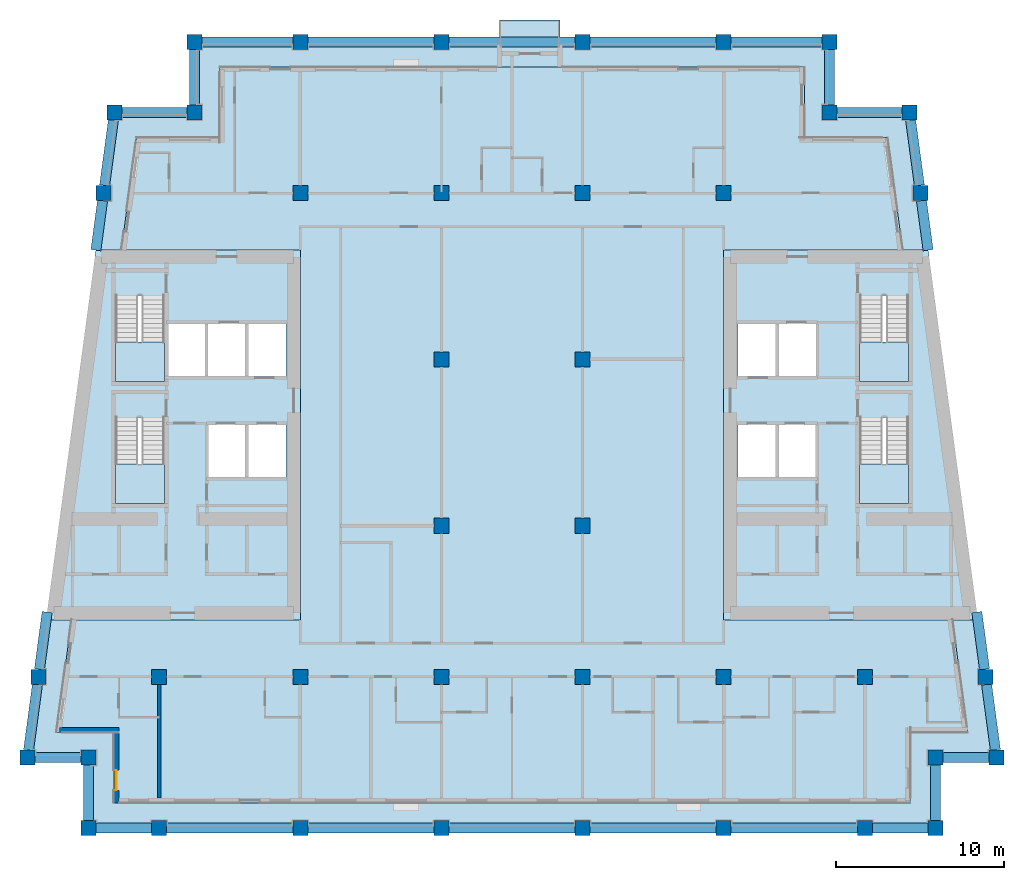
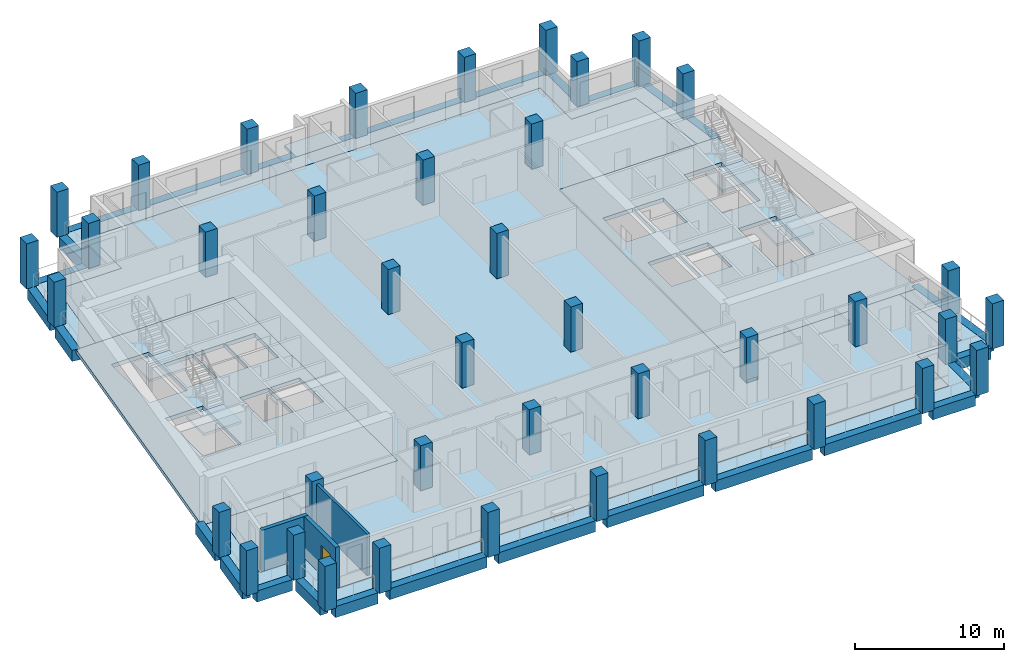
# One storey, part 1 of 12: 40 columns, 28 beams, 10 slabs, 3 walls, 1 door, 1 opening, 4 elements without a shape of their own.
"""IFC4 building model written with IfcOpenShell, lengths in metres."""

from ifc_helpers import new_model, si_unit, direction, frame, frame_2d, origin, origin_2d, place, context, subcontext, project, spatial, polyline, rectangle, outline, extrude, material, layer, layer_set, material_profile, profile_set, type_object, element, fill, aggregate, save


model = new_model("IFC4")

# Units and contexts
model_context = context("Model", 3, precision=1e-05, world=origin(), true_north=direction((0.0, 1.0)))
body_context = subcontext(model_context, "Body", "Model", "MODEL_VIEW")
ifc_project = project(units=[si_unit("LENGTHUNIT", "METRE"), si_unit("AREAUNIT", "SQUARE_METRE"), si_unit("VOLUMEUNIT", "CUBIC_METRE"), si_unit("PLANEANGLEUNIT", "RADIAN"), si_unit("MASSUNIT", "GRAM", prefix="KILO")], contexts=[model_context])

# Site, building, storey
site_placement = place(None, origin())
site = spatial("IfcSite", under=ifc_project, at=site_placement, CompositionType="ELEMENT")
building_placement = place(site_placement, origin())
building = spatial("IfcBuilding", under=site, at=building_placement, Name="Candeia Pilgrim Tower and Theatre", CompositionType="ELEMENT")
storey_placement = place(building_placement, frame((0.0, 0.0, 228.10009765625)))
storey = spatial("IfcBuildingStorey", under=building, at=storey_placement, Name="L55", CompositionType="ELEMENT", Elevation=228.10009765625)

# Columns
ifc_material_1 = material(Name="Concrete C50/60", Category="concrete")
ifc_material_profile_1 = material_profile(ifc_material_1, rectangle(XDim=0.89990234375, YDim=0.89990234375, at=origin_2d()))
ifc_profile_set_1 = profile_set([ifc_material_profile_1], Name="Concrete C50/60")
column_type = type_object("IfcColumnType", Name="RC 900x900 C50/60", PredefinedType="COLUMN", material=ifc_profile_set_1)
for number, where, z_axis, x_axis, name in (
    (1, (92.39990234375, 98.0, 0.0), (0.0, 0.0, 1.0), (1.0, 0.0, 0.0), "Column A1"),
    (2, (100.800048828125, 98.0, 0.0), (0.0, 0.0, 1.0), (1.0, 0.0, 0.0), "Column A2"),
    (3, (109.199951171875, 98.0, 0.0), (0.0, 0.0, 1.0), (1.0, 0.0, 0.0), "Column A3"),
    (4, (117.60009765625, 98.0, 0.0), (0.0, 0.0, 1.0), (1.0, 0.0, 0.0), "Column A4"),
    (5, (126.0, 98.0, 0.0), (0.0, 0.0, 1.0), (1.0, 0.0, 0.0), "Column A5"),
    (6, (134.39990234375, 98.0, 0.0), (0.0, 0.0, 1.0), (1.0, 0.0, 0.0), "Column A6"),
    (7, (88.199951171875, 98.0, 0.0), (0.0, 0.0, 1.0), (1.0, 0.0, 0.0), "Column AW"),
    (8, (138.60009765625, 98.0, 0.0), (0.0, 0.0, 1.0), (1.0, 0.0, 0.0), "Column AE"),
    (9, (88.199951171875, 102.199951171875, 0.0), (0.0, 0.0, 1.0), (1.0, 0.0, 0.0), "Column NSW"),
    (10, (138.60009765625, 102.199951171875, 0.0), (0.0, 0.0, 1.0), (1.0, 0.0, 0.0), "Column NSE"),
    (11, (94.5, 140.60009765625, 0.0), (0.0, 0.0, 1.0), (1.0, 0.0, 0.0), "Column NNW"),
    (12, (132.300048828125, 140.60009765625, 0.0), (0.0, 0.0, 1.0), (1.0, 0.0, 0.0), "Column NNE"),
    (13, (84.5654296875, 102.199951171875, 0.0), (0.0, 0.0, 1.0), (1.0, 0.0, 0.0), "Column LSW"),
    (14, (142.234619140625, 102.199951171875, 0.0), (0.0, 0.0, 1.0), (1.0, 0.0, 0.0), "Column LSE"),
    (15, (89.734619140625, 140.60009765625, 0.0), (0.0, 0.0, 1.0), (1.0, 0.0, 0.0), "Column LNW"),
    (16, (137.0654296875, 140.60009765625, 0.0), (0.0, 0.0, 1.0), (1.0, 0.0, 0.0), "Column LNE"),
    (17, (92.39990234375, 107.0, 0.0), (0.0, 0.0, 1.0), (1.0, 0.0, 0.0), "Column B1"),
    (18, (100.800048828125, 107.0, 0.0), (0.0, 0.0, 1.0), (1.0, 0.0, 0.0), "Column B2"),
    (19, (109.199951171875, 107.0, 0.0), (0.0, 0.0, 1.0), (1.0, 0.0, 0.0), "Column B3"),
    (20, (117.60009765625, 107.0, 0.0), (0.0, 0.0, 1.0), (1.0, 0.0, 0.0), "Column B4"),
    (21, (126.0, 107.0, 0.0), (0.0, 0.0, 1.0), (1.0, 0.0, 0.0), "Column B5"),
    (22, (134.39990234375, 107.0, 0.0), (0.0, 0.0, 1.0), (1.0, 0.0, 0.0), "Column B6"),
    (23, (85.21142578125, 107.0, 0.0), (0.0, 0.0, 1.0), (1.0, 0.0, 0.0), "Column BW"),
    (24, (141.58837890625, 107.0, 0.0), (0.0, 0.0, 1.0), (1.0, 0.0, 0.0), "Column BE"),
    (25, (109.199951171875, 116.0, 0.0), (0.0, 0.0, 1.0), (1.0, 0.0, 0.0), "Column C3"),
    (26, (117.60009765625, 116.0, 0.0), (0.0, 0.0, 1.0), (1.0, 0.0, 0.0), "Column C4"),
    (27, (109.199951171875, 125.89990234375, 0.0), (0.0, 0.0, 1.0), (1.0, 0.0, 0.0), "Column D3"),
    (28, (117.60009765625, 125.89990234375, 0.0), (0.0, 0.0, 1.0), (1.0, 0.0, 0.0), "Column D4"),
    (29, (100.800048828125, 135.800048828125, 0.0), (0.0, 0.0, 1.0), (1.0, 0.0, 0.0), "Column E2"),
    (30, (109.199951171875, 135.800048828125, 0.0), (0.0, 0.0, 1.0), (1.0, 0.0, 0.0), "Column E3"),
    (31, (117.60009765625, 135.800048828125, 0.0), (0.0, 0.0, 1.0), (1.0, 0.0, 0.0), "Column E4"),
    (32, (126.0, 135.800048828125, 0.0), (0.0, 0.0, 1.0), (1.0, 0.0, 0.0), "Column E5"),
    (33, (89.08837890625, 135.800048828125, 0.0), (0.0, 0.0, 1.0), (1.0, 0.0, 0.0), "Column EW"),
    (34, (137.71142578125, 135.800048828125, 0.0), (0.0, 0.0, 1.0), (1.0, 0.0, 0.0), "Column EE"),
    (35, (100.800048828125, 144.800048828125, 0.0), (0.0, 0.0, 1.0), (1.0, 0.0, 0.0), "Column F2"),
    (36, (109.199951171875, 144.800048828125, 0.0), (0.0, 0.0, 1.0), (1.0, 0.0, 0.0), "Column F3"),
    (37, (117.60009765625, 144.800048828125, 0.0), (0.0, 0.0, 1.0), (1.0, 0.0, 0.0), "Column F4"),
    (38, (126.0, 144.800048828125, 0.0), (0.0, 0.0, 1.0), (1.0, 0.0, 0.0), "Column F5"),
    (39, (94.5, 144.800048828125, 0.0), (0.0, 0.0, 1.0), (1.0, 0.0, 0.0), "Column FW"),
    (40, (132.300048828125, 144.800048828125, 0.0), (0.0, 0.0, 1.0), (1.0, 0.0, 0.0), "Column FE"),
):
    element("IfcColumn", number, at=place(storey_placement, frame(where, z_axis=z_axis, x_axis=x_axis)), inside=storey, type_object=column_type, Name=name, PredefinedType="COLUMN", context=body_context, shape_type="SweptSolid", body=[
        extrude(rectangle(XDim=0.89990234375, YDim=0.89990234375, at=origin_2d()), origin(), (0.0, 0.0, 1.0), 3.699951171875),
    ])

# Beams
ifc_material_profile_2 = material_profile(ifc_material_1, rectangle(XDim=0.60009765625, YDim=0.89990234375, at=origin_2d()))
ifc_profile_set_2 = profile_set([ifc_material_profile_2], Name="Concrete C50/60")
beam_type = type_object("IfcBeamType", Name="RC 600x900 C50/60", PredefinedType="BEAM", material=ifc_profile_set_2)
beam_1_placement = place(storey_placement, frame((88.64990234375, 98.0, -0.4501953125), z_axis=(1.0, 0.0, 0.0), x_axis=(0.0, 1.0, 0.0)))
element("IfcBeam", 41, at=beam_1_placement, inside=storey, type_object=beam_type, Name="Spandrel beam L55-01", PredefinedType="BEAM", context=body_context, shape_type="SweptSolid", body=[
    extrude(rectangle(XDim=0.60009765625, YDim=0.89990234375, at=origin_2d()), origin(), (0.0, 0.0, 1.0), 3.300048828125),
])
for number, where, z_axis, x_axis, name in (
    (42, (92.85009765625, 98.0, -0.4501953125), (1.0, 0.0, 0.0), (0.0, 1.0, 0.0), "Spandrel beam L55-02"),
    (43, (101.25, 98.0, -0.4501953125), (1.0, 0.0, 0.0), (0.0, 1.0, 0.0), "Spandrel beam L55-03"),
    (44, (109.64990234375, 98.0, -0.4501953125), (1.0, 0.0, 0.0), (0.0, 1.0, 0.0), "Spandrel beam L55-04"),
    (45, (118.050048828125, 98.0, -0.4501953125), (1.0, 0.0, 0.0), (0.0, 1.0, 0.0), "Spandrel beam L55-05"),
    (46, (126.449951171875, 98.0, -0.4501953125), (1.0, 0.0, 0.0), (0.0, 1.0, 0.0), "Spandrel beam L55-06"),
):
    element("IfcBeam", number, at=place(storey_placement, frame(where, z_axis=z_axis, x_axis=x_axis)), inside=storey, type_object=beam_type, Name=name, PredefinedType="BEAM", context=body_context, shape_type="SweptSolid", body=[
        extrude(rectangle(XDim=0.60009765625, YDim=0.89990234375, at=origin_2d()), origin(), (0.0, 0.0, 1.0), 7.5),
    ])
beam_2_placement = place(storey_placement, frame((134.85009765625, 98.0, -0.4501953125), z_axis=(1.0, 0.0, 0.0), x_axis=(0.0, 1.0, 0.0)))
element("IfcBeam", 47, at=beam_2_placement, inside=storey, type_object=beam_type, Name="Spandrel beam L55-07", PredefinedType="BEAM", context=body_context, shape_type="SweptSolid", body=[
    extrude(rectangle(XDim=0.60009765625, YDim=0.89990234375, at=origin_2d()), origin(), (0.0, 0.0, 1.0), 3.2998046875),
])
beam_3_placement = place(storey_placement, frame((138.60009765625, 98.449951171875, -0.4501953125), z_axis=(0.0, 1.0, 0.0), x_axis=(-1.0, 0.0, 0.0)))
element("IfcBeam", 48, at=beam_3_placement, inside=storey, type_object=beam_type, Name="Spandrel beam L55-08", PredefinedType="BEAM", context=body_context, shape_type="SweptSolid", body=[
    extrude(rectangle(XDim=0.60009765625, YDim=0.89990234375, at=origin_2d()), origin(), (0.0, 0.0, 1.0), 3.300048828125),
])
beam_4_placement = place(storey_placement, frame((139.050048828125, 102.199951171875, -0.4501953125), z_axis=(1.0, 0.0, 0.0), x_axis=(0.0, 1.0, 0.0)))
element("IfcBeam", 49, at=beam_4_placement, inside=storey, type_object=beam_type, Name="Spandrel beam L55-09", PredefinedType="BEAM", context=body_context, shape_type="SweptSolid", body=[
    extrude(rectangle(XDim=0.60009765625, YDim=0.89990234375, at=origin_2d()), origin(), (0.0, 0.0, 1.0), 2.734619140625),
])
beam_5_placement = place(storey_placement, frame((142.174072265625, 102.64990234375, -0.4501953125), z_axis=(-0.133443650757, 0.991056402064, 0.0), x_axis=(-0.991056402064, -0.133443650757, 0.0)))
element("IfcBeam", 50, at=beam_5_placement, inside=storey, type_object=beam_type, Name="Spandrel beam L55-10", PredefinedType="BEAM", context=body_context, shape_type="SweptSolid", body=[
    extrude(rectangle(XDim=0.60009765625, YDim=0.89990234375, at=origin_2d()), origin(), (0.0, 0.0, 1.0), 3.935302734375),
])
beam_6_placement = place(storey_placement, frame((141.52783203125, 107.449951171875, -0.4501953125), z_axis=(-0.133374411439, 0.99106572253, 0.0), x_axis=(-0.99106572253, -0.133374411439, 0.0)))
element("IfcBeam", 51, at=beam_6_placement, inside=storey, type_object=beam_type, Name="Spandrel beam L55-11", PredefinedType="BEAM", context=body_context, shape_type="SweptSolid", body=[
    extrude(rectangle(XDim=0.60009765625, YDim=0.89990234375, at=origin_2d()), origin(), (0.0, 0.0, 1.0), 3.43408203125),
])
beam_7_placement = place(storey_placement, frame((138.169189453125, 132.39990234375, -0.4501953125), z_axis=(-0.133356242983, 0.991068167412, 0.0), x_axis=(-0.991068167412, -0.133356242983, 0.0)))
element("IfcBeam", 52, at=beam_7_placement, inside=storey, type_object=beam_type, Name="Spandrel beam L55-12", PredefinedType="BEAM", context=body_context, shape_type="SweptSolid", body=[
    extrude(rectangle(XDim=0.60009765625, YDim=0.89990234375, at=origin_2d()), origin(), (0.0, 0.0, 1.0), 2.976806640625),
])
beam_8_placement = place(storey_placement, frame((137.65087890625, 136.25, -0.4501953125), z_axis=(-0.133390918184, 0.991063500965, 0.0), x_axis=(-0.991063500965, -0.133390918184, 0.0)))
element("IfcBeam", 53, at=beam_8_placement, inside=storey, type_object=beam_type, Name="Spandrel beam L55-13", PredefinedType="BEAM", context=body_context, shape_type="SweptSolid", body=[
    extrude(rectangle(XDim=0.60009765625, YDim=0.89990234375, at=origin_2d()), origin(), (0.0, 0.0, 1.0), 3.93505859375),
])
beam_9_placement = place(storey_placement, frame((136.615478515625, 140.60009765625, -0.4501953125), z_axis=(-1.0, 0.0, 0.0), x_axis=(0.0, -1.0, 0.0)))
element("IfcBeam", 54, at=beam_9_placement, inside=storey, type_object=beam_type, Name="Spandrel beam L55-14", PredefinedType="BEAM", context=body_context, shape_type="SweptSolid", body=[
    extrude(rectangle(XDim=0.60009765625, YDim=0.89990234375, at=origin_2d()), origin(), (0.0, 0.0, 1.0), 3.865478515625),
])
beam_10_placement = place(storey_placement, frame((132.300048828125, 141.050048828125, -0.4501953125), z_axis=(0.0, 1.0, 0.0), x_axis=(-1.0, 0.0, 0.0)))
element("IfcBeam", 55, at=beam_10_placement, inside=storey, type_object=beam_type, Name="Spandrel beam L55-15", PredefinedType="BEAM", context=body_context, shape_type="SweptSolid", body=[
    extrude(rectangle(XDim=0.60009765625, YDim=0.89990234375, at=origin_2d()), origin(), (0.0, 0.0, 1.0), 3.300048828125),
])
beam_11_placement = place(storey_placement, frame((131.85009765625, 144.800048828125, -0.4501953125), z_axis=(-1.0, 0.0, 0.0), x_axis=(0.0, -1.0, 0.0)))
element("IfcBeam", 56, at=beam_11_placement, inside=storey, type_object=beam_type, Name="Spandrel beam L55-16", PredefinedType="BEAM", context=body_context, shape_type="SweptSolid", body=[
    extrude(rectangle(XDim=0.60009765625, YDim=0.89990234375, at=origin_2d()), origin(), (0.0, 0.0, 1.0), 5.400146484375),
])
for number, where, z_axis, x_axis, name in (
    (57, (125.550048828125, 144.800048828125, -0.4501953125), (-1.0, 0.0, 0.0), (0.0, -1.0, 0.0), "Spandrel beam L55-17"),
    (58, (117.14990234375, 144.800048828125, -0.4501953125), (-1.0, 0.0, 0.0), (0.0, -1.0, 0.0), "Spandrel beam L55-18"),
    (59, (108.75, 144.800048828125, -0.4501953125), (-1.0, 0.0, 0.0), (0.0, -1.0, 0.0), "Spandrel beam L55-19"),
):
    element("IfcBeam", number, at=place(storey_placement, frame(where, z_axis=z_axis, x_axis=x_axis)), inside=storey, type_object=beam_type, Name=name, PredefinedType="BEAM", context=body_context, shape_type="SweptSolid", body=[
        extrude(rectangle(XDim=0.60009765625, YDim=0.89990234375, at=origin_2d()), origin(), (0.0, 0.0, 1.0), 7.5),
    ])
beam_12_placement = place(storey_placement, frame((100.35009765625, 144.800048828125, -0.4501953125), z_axis=(-1.0, 0.0, 0.0), x_axis=(0.0, -1.0, 0.0)))
element("IfcBeam", 60, at=beam_12_placement, inside=storey, type_object=beam_type, Name="Spandrel beam L55-20", PredefinedType="BEAM", context=body_context, shape_type="SweptSolid", body=[
    extrude(rectangle(XDim=0.60009765625, YDim=0.89990234375, at=origin_2d()), origin(), (0.0, 0.0, 1.0), 5.400146484375),
])
beam_13_placement = place(storey_placement, frame((94.5, 144.35009765625, -0.4501953125), z_axis=(0.0, -1.0, 0.0), x_axis=(1.0, 0.0, 0.0)))
element("IfcBeam", 61, at=beam_13_placement, inside=storey, type_object=beam_type, Name="Spandrel beam L55-21", PredefinedType="BEAM", context=body_context, shape_type="SweptSolid", body=[
    extrude(rectangle(XDim=0.60009765625, YDim=0.89990234375, at=origin_2d()), origin(), (0.0, 0.0, 1.0), 3.300048828125),
])
beam_14_placement = place(storey_placement, frame((94.050048828125, 140.60009765625, -0.4501953125), z_axis=(-1.0, 0.0, 0.0), x_axis=(0.0, -1.0, 0.0)))
element("IfcBeam", 62, at=beam_14_placement, inside=storey, type_object=beam_type, Name="Spandrel beam L55-22", PredefinedType="BEAM", context=body_context, shape_type="SweptSolid", body=[
    extrude(rectangle(XDim=0.60009765625, YDim=0.89990234375, at=origin_2d()), origin(), (0.0, 0.0, 1.0), 3.865478515625),
])
beam_15_placement = place(storey_placement, frame((89.674072265625, 140.14990234375, -0.4501953125), z_axis=(-0.133451855788, -0.99105529724, 0.0), x_axis=(0.99105529724, -0.133451855788, 0.0)))
element("IfcBeam", 63, at=beam_15_placement, inside=storey, type_object=beam_type, Name="Spandrel beam L55-23", PredefinedType="BEAM", context=body_context, shape_type="SweptSolid", body=[
    extrude(rectangle(XDim=0.60009765625, YDim=0.89990234375, at=origin_2d()), origin(), (0.0, 0.0, 1.0), 3.93505859375),
])
beam_16_placement = place(storey_placement, frame((89.02783203125, 135.35009765625, -0.4501953125), z_axis=(-0.133356242983, -0.991068167412, 0.0), x_axis=(0.991068167412, -0.133356242983, 0.0)))
element("IfcBeam", 64, at=beam_16_placement, inside=storey, type_object=beam_type, Name="Spandrel beam L55-24", PredefinedType="BEAM", context=body_context, shape_type="SweptSolid", body=[
    extrude(rectangle(XDim=0.60009765625, YDim=0.89990234375, at=origin_2d()), origin(), (0.0, 0.0, 1.0), 2.976806640625),
])
beam_17_placement = place(storey_placement, frame((85.730224609375, 110.853271484375, -0.4501953125), z_axis=(-0.133374411439, -0.99106572253, 0.0), x_axis=(0.99106572253, -0.133374411439, 0.0)))
element("IfcBeam", 65, at=beam_17_placement, inside=storey, type_object=beam_type, Name="Spandrel beam L55-25", PredefinedType="BEAM", context=body_context, shape_type="SweptSolid", body=[
    extrude(rectangle(XDim=0.60009765625, YDim=0.89990234375, at=origin_2d()), origin(), (0.0, 0.0, 1.0), 3.43408203125),
])
beam_18_placement = place(storey_placement, frame((85.15087890625, 106.550048828125, -0.4501953125), z_axis=(-0.133382716764, -0.991064604791, 0.0), x_axis=(0.991064604791, -0.133382716764, 0.0)))
element("IfcBeam", 66, at=beam_18_placement, inside=storey, type_object=beam_type, Name="Spandrel beam L55-26", PredefinedType="BEAM", context=body_context, shape_type="SweptSolid", body=[
    extrude(rectangle(XDim=0.60009765625, YDim=0.89990234375, at=origin_2d()), origin(), (0.0, 0.0, 1.0), 3.935302734375),
])
beam_19_placement = place(storey_placement, frame((85.015380859375, 102.199951171875, -0.4501953125), z_axis=(1.0, 0.0, 0.0), x_axis=(0.0, 1.0, 0.0)))
element("IfcBeam", 67, at=beam_19_placement, inside=storey, type_object=beam_type, Name="Spandrel beam L55-27", PredefinedType="BEAM", context=body_context, shape_type="SweptSolid", body=[
    extrude(rectangle(XDim=0.60009765625, YDim=0.89990234375, at=origin_2d()), origin(), (0.0, 0.0, 1.0), 2.734619140625),
])
beam_20_placement = place(storey_placement, frame((88.199951171875, 101.75, -0.4501953125), z_axis=(0.0, -1.0, 0.0), x_axis=(1.0, 0.0, 0.0)))
element("IfcBeam", 68, at=beam_20_placement, inside=storey, type_object=beam_type, Name="Spandrel beam L55-28", PredefinedType="BEAM", context=body_context, shape_type="SweptSolid", body=[
    extrude(rectangle(XDim=0.60009765625, YDim=0.89990234375, at=origin_2d()), origin(), (0.0, 0.0, 1.0), 3.300048828125),
])

# Slabs
ifc_material_2 = material(Name="Concrete C40/50", Category="concrete")
ifc_layer_1 = layer(ifc_material_2, 0.25)
ifc_layer_set_1 = layer_set([ifc_layer_1], Name="BK1 balcony slab 250")
slab_type_1 = type_object("IfcSlabType", Name="BK1 balcony slab 250", PredefinedType="USERDEFINED", material=ifc_layer_set_1)
slab_1_placement = place(storey_placement, frame((0.0, 0.0, -0.25)))
element("IfcSlab", 69, at=slab_1_placement, inside=storey, type_object=slab_type_1, Name="Balcony L55", ObjectType="BALCONY", PredefinedType="USERDEFINED", context=body_context, shape_type="SweptSolid", body=[
    extrude(outline(polyline([(112.64990234375, 144.5), (116.25, 144.5), (116.25, 146.10009765625), (112.64990234375, 146.10009765625), (112.64990234375, 144.5)])), origin(), (0.0, 0.0, 1.0), 0.25),
])
ifc_material_3 = material(Name="Concrete C60/75", Category="concrete")
ifc_layer_2 = layer(ifc_material_3, 0.320068359375)
ifc_layer_set_2 = layer_set([ifc_layer_2], Name="FS-CORE 320 core floor")
slab_type_2 = type_object("IfcSlabType", Name="FS-CORE 320 core floor", PredefinedType="FLOOR", material=ifc_layer_set_2)
slab_2_placement = place(storey_placement, frame((0.0, 0.0, -0.320068359375)))
element("IfcSlab", 70, at=slab_2_placement, inside=storey, type_object=slab_type_2, Name="Core floor W L55", PredefinedType="FLOOR", context=body_context, shape_type="SweptSolid", body=[
    extrude(outline(polyline([(100.800048828125, 132.39990234375), (100.800048828125, 110.39990234375), (85.669189453125, 110.39990234375), (88.630859375, 132.39990234375), (100.800048828125, 132.39990234375)]), holes=[polyline([(97.658935546875, 128.050048828125), (97.658935546875, 124.85009765625), (99.949951171875, 124.85009765625), (99.949951171875, 128.050048828125), (97.658935546875, 128.050048828125)]), polyline([(97.66357421875, 122.050048828125), (97.66357421875, 118.85009765625), (99.949951171875, 118.85009765625), (99.949951171875, 122.050048828125), (97.66357421875, 122.050048828125)]), polyline([(95.277099609375, 122.050048828125), (95.277099609375, 118.85009765625), (97.5634765625, 118.85009765625), (97.5634765625, 122.050048828125), (95.277099609375, 122.050048828125)]), polyline([(95.26806640625, 128.050048828125), (95.26806640625, 124.85009765625), (97.55908203125, 124.85009765625), (97.55908203125, 128.050048828125), (95.26806640625, 128.050048828125)]), polyline([(92.876953125, 128.050048828125), (92.876953125, 124.85009765625), (95.16796875, 124.85009765625), (95.16796875, 128.050048828125), (92.876953125, 128.050048828125)]), polyline([(89.802001953125, 117.324951171875), (92.701904296875, 117.324951171875), (92.701904296875, 122.455078125), (89.802001953125, 122.455078125), (89.802001953125, 117.324951171875)]), polyline([(89.802001953125, 129.705078125), (89.802001953125, 124.574951171875), (92.701904296875, 124.574951171875), (92.701904296875, 129.705078125), (89.802001953125, 129.705078125)])]), origin(), (0.0, 0.0, 1.0), 0.320068359375),
])
slab_3_placement = place(storey_placement, frame((0.0, 0.0, -0.320068359375)))
element("IfcSlab", 71, at=slab_3_placement, inside=storey, type_object=slab_type_2, Name="Core floor E L55", PredefinedType="FLOOR", context=body_context, shape_type="SweptSolid", body=[
    extrude(outline(polyline([(138.169189453125, 132.39990234375), (141.130859375, 110.39990234375), (126.0, 110.39990234375), (126.0, 132.39990234375), (138.169189453125, 132.39990234375)]), holes=[polyline([(134.097900390625, 117.324951171875), (136.998046875, 117.324951171875), (136.998046875, 122.455078125), (134.097900390625, 122.455078125), (134.097900390625, 117.324951171875)]), polyline([(134.097900390625, 129.705078125), (134.097900390625, 124.574951171875), (136.998046875, 124.574951171875), (136.998046875, 129.705078125), (134.097900390625, 129.705078125)]), polyline([(131.531982421875, 128.050048828125), (129.240966796875, 128.050048828125), (129.240966796875, 124.85009765625), (131.531982421875, 124.85009765625), (131.531982421875, 128.050048828125)]), polyline([(131.52294921875, 122.050048828125), (129.236572265625, 122.050048828125), (129.236572265625, 118.85009765625), (131.52294921875, 118.85009765625), (131.52294921875, 122.050048828125)]), polyline([(126.85009765625, 128.050048828125), (126.85009765625, 124.85009765625), (129.14111328125, 124.85009765625), (129.14111328125, 128.050048828125), (126.85009765625, 128.050048828125)]), polyline([(129.136474609375, 122.050048828125), (126.85009765625, 122.050048828125), (126.85009765625, 118.85009765625), (129.136474609375, 118.85009765625), (129.136474609375, 122.050048828125)])]), origin(), (0.0, 0.0, 1.0), 0.320068359375),
])
ifc_layer_3 = layer(ifc_material_1, 0.320068359375)
ifc_layer_set_3 = layer_set([ifc_layer_3], Name="Floor slab 320 C50/60")
slab_type_3 = type_object("IfcSlabType", Name="Floor slab 320 C50/60", PredefinedType="FLOOR", material=ifc_layer_set_3)
slab_4_placement = place(storey_placement, frame((0.0, 0.0, -0.320068359375)))
element("IfcSlab", 72, at=slab_4_placement, inside=storey, type_object=slab_type_3, Name="Floor slab L55", PredefinedType="FLOOR", context=body_context, shape_type="SweptSolid", body=[
    extrude(outline(polyline([(96.0, 139.10009765625), (96.0, 143.300048828125), (130.800048828125, 143.300048828125), (130.800048828125, 139.10009765625), (135.753662109375, 139.10009765625), (136.65576171875, 132.39990234375), (126.0, 132.39990234375), (126.0, 110.39990234375), (139.6171875, 110.39990234375), (140.51904296875, 103.699951171875), (137.10009765625, 103.699951171875), (137.10009765625, 99.5), (89.699951171875, 99.5), (89.699951171875, 103.699951171875), (86.28076171875, 103.699951171875), (87.182861328125, 110.39990234375), (100.800048828125, 110.39990234375), (100.800048828125, 132.39990234375), (90.144287109375, 132.39990234375), (91.046142578125, 139.10009765625), (96.0, 139.10009765625)])), origin(), (0.0, 0.0, 1.0), 0.320068359375),
])
ifc_layer_4 = layer(ifc_material_2, 0.25)
ifc_layer_set_4 = layer_set([ifc_layer_4], Name="Loggia slab 250 C40/50")
slab_type_4 = type_object("IfcSlabType", Name="Loggia slab 250 C40/50", PredefinedType="FLOOR", material=ifc_layer_set_4)
slab_5_placement = place(storey_placement, frame((0.0, 0.0, -0.25)))
element("IfcSlab", 73, at=slab_5_placement, inside=storey, type_object=slab_type_4, Name="Loggia slab L55 1", PredefinedType="FLOOR", context=body_context, shape_type="SweptSolid", body=[
    extrude(outline(polyline([(87.182861328125, 110.39990234375), (86.28076171875, 103.699951171875), (89.699951171875, 103.699951171875), (89.699951171875, 99.5), (137.10009765625, 99.5), (137.10009765625, 103.699951171875), (140.51904296875, 103.699951171875), (139.6171875, 110.39990234375), (140.828125, 110.39990234375), (141.8916015625, 102.5), (138.300048828125, 102.5), (138.300048828125, 98.300048828125), (88.5, 98.300048828125), (88.5, 102.5), (84.908447265625, 102.5), (85.971923828125, 110.39990234375), (87.182861328125, 110.39990234375)])), origin(), (0.0, 0.0, 1.0), 0.25),
])
slab_6_placement = place(storey_placement, frame((0.0, 0.0, -0.25)))
element("IfcSlab", 74, at=slab_6_placement, inside=storey, type_object=slab_type_4, Name="Loggia slab L55 2", PredefinedType="FLOOR", context=body_context, shape_type="SweptSolid", body=[
    extrude(outline(polyline([(136.65576171875, 132.39990234375), (135.753662109375, 139.10009765625), (130.800048828125, 139.10009765625), (130.800048828125, 143.300048828125), (96.0, 143.300048828125), (96.0, 139.10009765625), (91.046142578125, 139.10009765625), (90.144287109375, 132.39990234375), (88.93359375, 132.39990234375), (89.996826171875, 140.300048828125), (94.800048828125, 140.300048828125), (94.800048828125, 144.5), (132.0, 144.5), (132.0, 140.300048828125), (136.802978515625, 140.300048828125), (137.866455078125, 132.39990234375), (136.65576171875, 132.39990234375)])), origin(), (0.0, 0.0, 1.0), 0.25),
])

# Stair, slab
stair_type = type_object("IfcStairType", Name="ST-TWR dog-leg escape stair", PredefinedType="HALF_TURN_STAIR", material=ifc_material_2)
stair_1_placement = place(storey_placement, origin())
stair_1 = element("IfcStair", 75, at=stair_1_placement, inside=storey, type_object=stair_type, Name="L55 Escape stair ST1", PredefinedType="HALF_TURN_STAIR")
ifc_layer_5 = layer(ifc_material_2, 0.199951171875)
ifc_layer_set_5 = layer_set([ifc_layer_5], Name="SL-LANDING stair landing")
slab_type_5 = type_object("IfcSlabType", Name="SL-LANDING stair landing", PredefinedType="LANDING", material=ifc_layer_set_5)
slab_7_placement = place(storey_placement, frame((0.0, 0.0, 1.64990234375)))
slab_7 = element("IfcSlab", 76, at=slab_7_placement, type_object=slab_type_5, Name="ST1 landing 1", PredefinedType="LANDING", context=body_context, shape_type="SweptSolid", body=[
    extrude(outline(polyline([(89.802001953125, 119.675048828125), (89.802001953125, 117.324951171875), (92.701904296875, 117.324951171875), (92.701904296875, 119.675048828125), (89.802001953125, 119.675048828125)])), origin(), (0.0, 0.0, 1.0), 0.199951171875),
])
aggregate(stair_1, [slab_7])

stair_2_placement = place(storey_placement, origin())
stair_2 = element("IfcStair", 77, at=stair_2_placement, inside=storey, type_object=stair_type, Name="L55 Escape stair ST2", PredefinedType="HALF_TURN_STAIR")
slab_8_placement = place(storey_placement, frame((0.0, 0.0, 1.64990234375)))
slab_8 = element("IfcSlab", 78, at=slab_8_placement, type_object=slab_type_5, Name="ST2 landing 1", PredefinedType="LANDING", context=body_context, shape_type="SweptSolid", body=[
    extrude(outline(polyline([(89.802001953125, 126.925048828125), (89.802001953125, 124.574951171875), (92.701904296875, 124.574951171875), (92.701904296875, 126.925048828125), (89.802001953125, 126.925048828125)])), origin(), (0.0, 0.0, 1.0), 0.199951171875),
])
aggregate(stair_2, [slab_8])

stair_3_placement = place(storey_placement, origin())
stair_3 = element("IfcStair", 79, at=stair_3_placement, inside=storey, type_object=stair_type, Name="L55 Escape stair ST3", PredefinedType="HALF_TURN_STAIR")
slab_9_placement = place(storey_placement, frame((0.0, 0.0, 1.64990234375)))
slab_9 = element("IfcSlab", 80, at=slab_9_placement, type_object=slab_type_5, Name="ST3 landing 1", PredefinedType="LANDING", context=body_context, shape_type="SweptSolid", body=[
    extrude(outline(polyline([(134.097900390625, 119.675048828125), (134.097900390625, 117.324951171875), (136.998046875, 117.324951171875), (136.998046875, 119.675048828125), (134.097900390625, 119.675048828125)])), origin(), (0.0, 0.0, 1.0), 0.199951171875),
])
aggregate(stair_3, [slab_9])

stair_4_placement = place(storey_placement, origin())
stair_4 = element("IfcStair", 81, at=stair_4_placement, inside=storey, type_object=stair_type, Name="L55 Escape stair ST4", PredefinedType="HALF_TURN_STAIR")
slab_10_placement = place(storey_placement, frame((0.0, 0.0, 1.64990234375)))
slab_10 = element("IfcSlab", 82, at=slab_10_placement, type_object=slab_type_5, Name="ST4 landing 1", PredefinedType="LANDING", context=body_context, shape_type="SweptSolid", body=[
    extrude(outline(polyline([(134.097900390625, 126.925048828125), (134.097900390625, 124.574951171875), (136.998046875, 124.574951171875), (136.998046875, 126.925048828125), (134.097900390625, 126.925048828125)])), origin(), (0.0, 0.0, 1.0), 0.199951171875),
])
aggregate(stair_4, [slab_10])

# Wall
ifc_material_4 = material(Name="Ceramic block masonry", Category="masonry")
ifc_layer_6 = layer(ifc_material_4, 0.300048828125)
ifc_layer_set_6 = layer_set([ifc_layer_6], Name="EW1 glazing-line wall 300")
wall_type_1 = type_object("IfcWallType", Name="EW1 glazing-line wall 300", PredefinedType="SOLIDWALL", material=ifc_layer_set_6)
wall_1_placement = place(storey_placement, frame((86.452392578125, 103.85009765625, 0.0), z_axis=(0.0, 0.0, 1.0), x_axis=(1.0, 0.0, 0.0)))
element("IfcWall", 83, at=wall_1_placement, inside=storey, type_object=wall_type_1, Name="External wall L55-10.0", PredefinedType="SOLIDWALL", context=body_context, shape_type="SweptSolid", body=[
    extrude(rectangle(XDim=3.547607421875, YDim=0.300048828125, at=frame_2d((1.77392578125, 0.0))), origin(), (0.0, 0.0, 1.0), 3.3798828125),
])

# Wall, opening, door
wall_2_placement = place(storey_placement, frame((89.85009765625, 103.85009765625, 0.0), z_axis=(0.0, 0.0, 1.0), x_axis=(0.0, -1.0, 0.0)))
wall_2 = element("IfcWall", 84, at=wall_2_placement, inside=storey, type_object=wall_type_1, Name="External wall L55-11.0", PredefinedType="SOLIDWALL", context=body_context, shape_type="SweptSolid", body=[
    extrude(rectangle(XDim=4.35009765625, YDim=0.300048828125, at=frame_2d((2.175048828125, 0.0))), origin(), (0.0, 0.0, 1.0), 3.3798828125),
])
opening_placement = place(wall_2_placement, frame((2.39990234375, 0.0, 0.0)))
opening = element("IfcOpeningElement", 85, at=opening_placement, cuts=wall_2, Name="Opening L55-ED534", PredefinedType="OPENING", context=body_context, shape_type="SweptSolid", body=[
    extrude(rectangle(XDim=1.199951171875, YDim=2.39990234375, at=frame_2d((0.60009765625, 1.199951171875))), frame((0.0, 0.16015625, 0.0), z_axis=(0.0, -1.0, 0.0), x_axis=(1.0, 0.0, 0.0)), (0.0, 0.0, 1.0), 0.320068359375),
])
ifc_material_5 = material(Name="Aluminium framed glazed door", Category="aluminium")
door_type = type_object("IfcDoorType", Name="Loggia door 1200x2400", OperationType="DOUBLE_DOOR_SINGLE_SWING", PredefinedType="DOOR", material=ifc_material_5)
door_placement = place(opening_placement, origin())
door = element("IfcDoor", 86, at=door_placement, inside=storey, type_object=door_type, Name="Loggia door L55-ED534", OperationType="DOUBLE_DOOR_SINGLE_SWING", OverallHeight=2.39990234375, OverallWidth=1.199951171875, PredefinedType="DOOR", context=body_context, shape_type="SweptSolid", body=[
    extrude(rectangle(XDim=1.199951171875, YDim=2.39990234375, at=frame_2d((0.60009765625, 1.199951171875))), frame((0.0, 0.02490234375, 0.0), z_axis=(0.0, -1.0, 0.0), x_axis=(1.0, 0.0, 0.0)), (0.0, 0.0, 1.0), 0.050048828125),
])
fill(opening, door)

# Wall
ifc_material_6 = material(Name="Gypsum board partition on steel studs", Category="steel")
ifc_layer_7 = layer(ifc_material_6, 0.199951171875)
ifc_layer_set_7 = layer_set([ifc_layer_7], Name="PW-200 party wall")
wall_type_2 = type_object("IfcWallType", Name="PW-200 party wall", PredefinedType="PARTITIONING", material=ifc_layer_set_7)
wall_3_placement = place(storey_placement, frame((92.39990234375, 99.7900390625, 0.0), z_axis=(0.0, 0.0, 1.0), x_axis=(0.0, 1.0, 0.0)))
element("IfcWall", 87, at=wall_3_placement, inside=storey, type_object=wall_type_2, Name="Party wall L55-055", PredefinedType="PARTITIONING", context=body_context, shape_type="SweptSolid", body=[
    extrude(rectangle(XDim=7.135009765625, YDim=0.199951171875, at=frame_2d((3.5673828125, 0.0))), origin(), (0.0, 0.0, 1.0), 3.3798828125),
])

save(model, "model.ifc")
